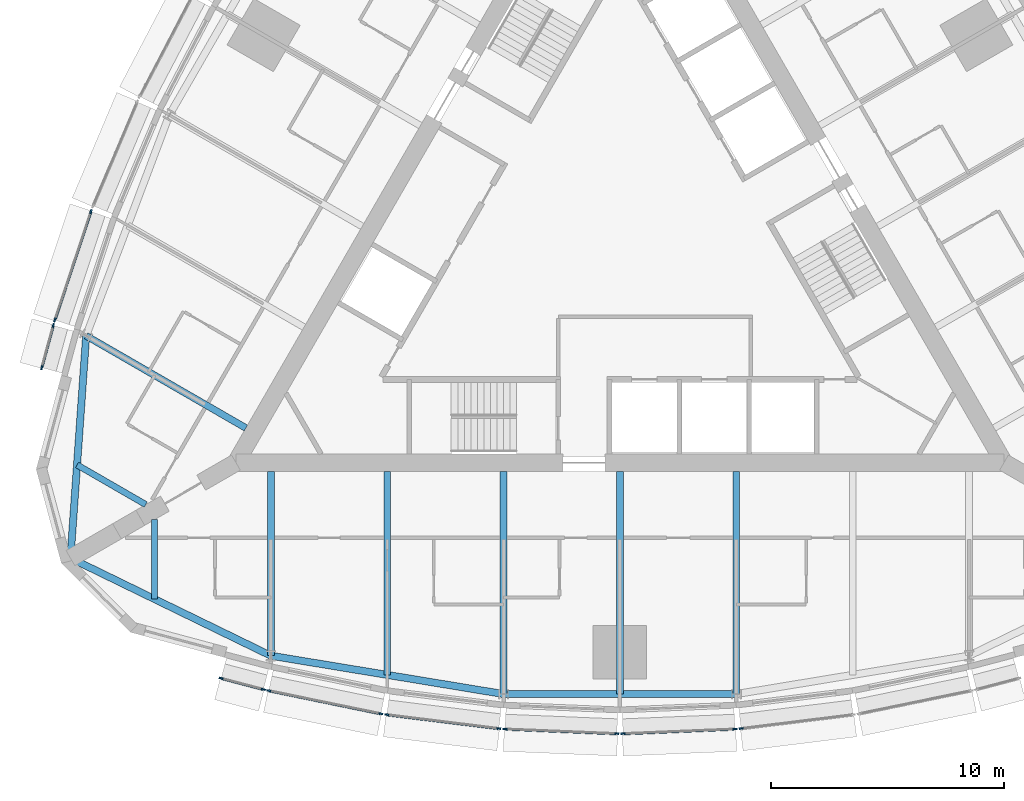
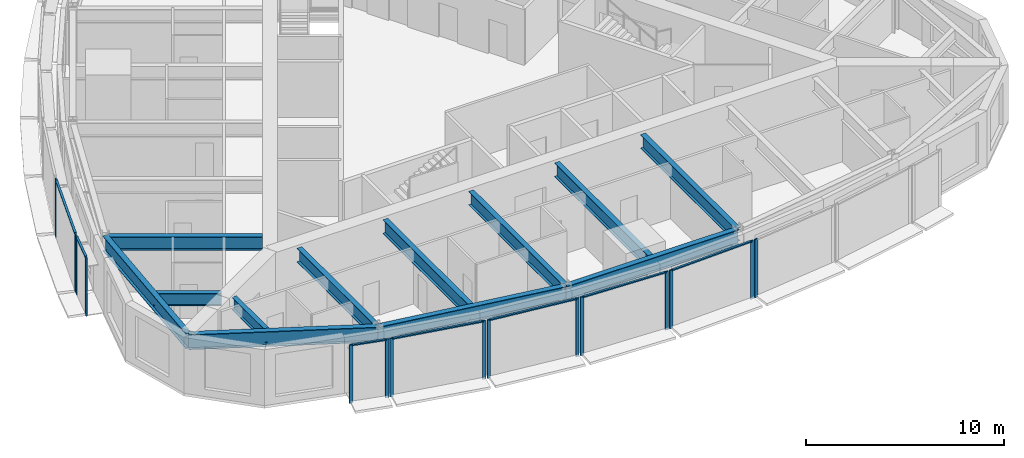
# One storey, part 2 of 15: 22 members, 12 beams, 8 elements without a shape of their own.
"""IFC4 building model written with IfcOpenShell, lengths in metres."""

from ifc_helpers import new_model, si_unit, direction, frame, origin, origin_2d, place, context, subcontext, project, spatial, rectangle, i_section, extrude, material, material_profile, profile_set, type_object, element, aggregate, save


model = new_model("IFC4")

# Units and contexts
model_context = context("Model", 3, precision=1e-05, world=origin(), true_north=direction((0.0, 1.0)))
body_context = subcontext(model_context, "Body", "Model", "MODEL_VIEW")
ifc_project = project(units=[si_unit("LENGTHUNIT", "METRE"), si_unit("AREAUNIT", "SQUARE_METRE"), si_unit("VOLUMEUNIT", "CUBIC_METRE"), si_unit("PLANEANGLEUNIT", "RADIAN"), si_unit("MASSUNIT", "GRAM", prefix="KILO")], contexts=[model_context])

# Site, building, storey
site_placement = place(None, origin())
site = spatial("IfcSite", under=ifc_project, at=site_placement, CompositionType="ELEMENT")
building_placement = place(site_placement, origin())
building = spatial("IfcBuilding", under=site, at=building_placement, Name="Trikona Tower", CompositionType="ELEMENT")
storey_placement = place(building_placement, frame((0.0, 0.0, 208.10009765625)))
storey = spatial("IfcBuildingStorey", under=building, at=storey_placement, Name="L55", CompositionType="ELEMENT", Elevation=208.10009765625)

# Curtain wall, members
ifc_material_1 = material(Name="Aluminium curtain wall system", Category="aluminium")
curtain_wall_type = type_object("IfcCurtainWallType", Name="Curtain wall DS3", PredefinedType="NOTDEFINED", material=ifc_material_1)
curtain_wall_1_placement = place(storey_placement, origin())
curtain_wall_1 = element("IfcCurtainWall", 1, at=curtain_wall_1_placement, inside=storey, type_object=curtain_wall_type, Name="Curtain wall DS3 L55", PredefinedType="NOTDEFINED")
ifc_material_2 = material(Name="Aluminium mullion, pale anodised", Category="aluminium")
ifc_material_profile_1 = material_profile(ifc_material_2, rectangle(XDim=0.070068359375, YDim=0.179931640625, at=origin_2d()), Name="MUL-DS3")
ifc_profile_set_1 = profile_set([ifc_material_profile_1], Name="Aluminium mullion, pale anodised")
member_type_1 = type_object("IfcMemberType", Name="Mullion DS3 70x180", PredefinedType="MULLION", material=ifc_profile_set_1)
member_1_placement = place(storey_placement, frame((-17.137451171875, -18.79248046875, 0.0), z_axis=(0.0, 0.0, 1.0), x_axis=(0.25478635579, 0.966997369647, 0.0)))
member_1 = element("IfcMember", 2, at=member_1_placement, type_object=member_type_1, Name="CW-DS3 mullion 1", PredefinedType="MULLION", context=body_context, shape_type="SweptSolid", body=[
    extrude(rectangle(XDim=0.070068359375, YDim=0.179931640625, at=origin_2d()), origin(), (0.0, 0.0, 1.0), 3.599853515625),
])
member_2_placement = place(storey_placement, frame((-15.321044921875, -19.27099609375, 0.0), z_axis=(0.0, 0.0, 1.0), x_axis=(0.25478635579, 0.966997369647, 0.0)))
member_2 = element("IfcMember", 3, at=member_2_placement, type_object=member_type_1, Name="CW-DS3 mullion 2", PredefinedType="MULLION", context=body_context, shape_type="SweptSolid", body=[
    extrude(rectangle(XDim=0.070068359375, YDim=0.179931640625, at=origin_2d()), origin(), (0.0, 0.0, 1.0), 3.599853515625),
])

curtain_wall_2_placement = place(storey_placement, origin())
curtain_wall_2 = element("IfcCurtainWall", 4, at=curtain_wall_2_placement, inside=storey, type_object=curtain_wall_type, Name="Curtain wall DS3 L55", PredefinedType="NOTDEFINED")
member_3_placement = place(storey_placement, frame((-15.08837890625, -19.325439453125, 0.0), z_axis=(0.0, 0.0, 1.0), x_axis=(0.201652920672, 0.979457043256, 0.0)))
member_3 = element("IfcMember", 5, at=member_3_placement, type_object=member_type_1, Name="CW-DS3 mullion 1", PredefinedType="MULLION", context=body_context, shape_type="SweptSolid", body=[
    extrude(rectangle(XDim=0.070068359375, YDim=0.179931640625, at=origin_2d()), origin(), (0.0, 0.0, 1.0), 3.599853515625),
])
member_4_placement = place(storey_placement, frame((-10.274658203125, -20.316650390625, 0.0), z_axis=(0.0, 0.0, 1.0), x_axis=(0.201652920672, 0.979457043256, 0.0)))
member_4 = element("IfcMember", 6, at=member_4_placement, type_object=member_type_1, Name="CW-DS3 mullion 2", PredefinedType="MULLION", context=body_context, shape_type="SweptSolid", body=[
    extrude(rectangle(XDim=0.070068359375, YDim=0.179931640625, at=origin_2d()), origin(), (0.0, 0.0, 1.0), 3.599853515625),
])

curtain_wall_3_placement = place(storey_placement, origin())
curtain_wall_3 = element("IfcCurtainWall", 7, at=curtain_wall_3_placement, inside=storey, type_object=curtain_wall_type, Name="Curtain wall DS3 L55", PredefinedType="NOTDEFINED")
member_5_placement = place(storey_placement, frame((-10.01611328125, -20.359130859375, 0.0), z_axis=(0.0, 0.0, 1.0), x_axis=(0.122610640458, 0.992454850785, 0.0)))
member_5 = element("IfcMember", 8, at=member_5_placement, type_object=member_type_1, Name="CW-DS3 mullion 1", PredefinedType="MULLION", context=body_context, shape_type="SweptSolid", body=[
    extrude(rectangle(XDim=0.070068359375, YDim=0.179931640625, at=origin_2d()), origin(), (0.0, 0.0, 1.0), 3.599853515625),
])
member_6_placement = place(storey_placement, frame((-5.20458984375, -20.95361328125, 0.0), z_axis=(0.0, 0.0, 1.0), x_axis=(0.122610640458, 0.992454850785, 0.0)))
member_6 = element("IfcMember", 9, at=member_6_placement, type_object=member_type_1, Name="CW-DS3 mullion 2", PredefinedType="MULLION", context=body_context, shape_type="SweptSolid", body=[
    extrude(rectangle(XDim=0.070068359375, YDim=0.179931640625, at=origin_2d()), origin(), (0.0, 0.0, 1.0), 3.599853515625),
])

curtain_wall_4_placement = place(storey_placement, origin())
curtain_wall_4 = element("IfcCurtainWall", 10, at=curtain_wall_4_placement, inside=storey, type_object=curtain_wall_type, Name="Curtain wall DS3 L55", PredefinedType="NOTDEFINED")
member_7_placement = place(storey_placement, frame((-4.942138671875, -20.97509765625, 0.0), z_axis=(0.0, 0.0, 1.0), x_axis=(0.04115278907, 0.999152865157, 0.0)))
member_7 = element("IfcMember", 11, at=member_7_placement, type_object=member_type_1, Name="CW-DS3 mullion 1", PredefinedType="MULLION", context=body_context, shape_type="SweptSolid", body=[
    extrude(rectangle(XDim=0.070068359375, YDim=0.179931640625, at=origin_2d()), origin(), (0.0, 0.0, 1.0), 3.599853515625),
])
member_8_placement = place(storey_placement, frame((-0.132080078125, -21.17333984375, 0.0), z_axis=(0.0, 0.0, 1.0), x_axis=(0.04115278907, 0.999152865157, 0.0)))
member_8 = element("IfcMember", 12, at=member_8_placement, type_object=member_type_1, Name="CW-DS3 mullion 2", PredefinedType="MULLION", context=body_context, shape_type="SweptSolid", body=[
    extrude(rectangle(XDim=0.070068359375, YDim=0.179931640625, at=origin_2d()), origin(), (0.0, 0.0, 1.0), 3.599853515625),
])

curtain_wall_5_placement = place(storey_placement, origin())
curtain_wall_5 = element("IfcCurtainWall", 13, at=curtain_wall_5_placement, inside=storey, type_object=curtain_wall_type, Name="Curtain wall DS3 L55", PredefinedType="NOTDEFINED")
member_9_placement = place(storey_placement, frame((0.132080078125, -21.17333984375, 0.0), z_axis=(0.0, 0.0, 1.0), x_axis=(-0.04115278907, 0.999152865157, 0.0)))
member_9 = element("IfcMember", 14, at=member_9_placement, type_object=member_type_1, Name="CW-DS3 mullion 1", PredefinedType="MULLION", context=body_context, shape_type="SweptSolid", body=[
    extrude(rectangle(XDim=0.070068359375, YDim=0.179931640625, at=origin_2d()), origin(), (0.0, 0.0, 1.0), 3.599853515625),
])
member_10_placement = place(storey_placement, frame((4.942138671875, -20.97509765625, 0.0), z_axis=(0.0, 0.0, 1.0), x_axis=(-0.04115278907, 0.999152865157, 0.0)))
member_10 = element("IfcMember", 15, at=member_10_placement, type_object=member_type_1, Name="CW-DS3 mullion 2", PredefinedType="MULLION", context=body_context, shape_type="SweptSolid", body=[
    extrude(rectangle(XDim=0.070068359375, YDim=0.179931640625, at=origin_2d()), origin(), (0.0, 0.0, 1.0), 3.599853515625),
])

# Curtain wall, member
curtain_wall_6_placement = place(storey_placement, origin())
curtain_wall_6 = element("IfcCurtainWall", 16, at=curtain_wall_6_placement, inside=storey, type_object=curtain_wall_type, Name="Curtain wall DS3 L55", PredefinedType="NOTDEFINED")
member_11_placement = place(storey_placement, frame((5.20458984375, -20.95361328125, 0.0), z_axis=(0.0, 0.0, 1.0), x_axis=(-0.122610640458, 0.992454850785, 0.0)))
member_11 = element("IfcMember", 17, at=member_11_placement, type_object=member_type_1, Name="CW-DS3 mullion 1", PredefinedType="MULLION", context=body_context, shape_type="SweptSolid", body=[
    extrude(rectangle(XDim=0.070068359375, YDim=0.179931640625, at=origin_2d()), origin(), (0.0, 0.0, 1.0), 3.599853515625),
])
aggregate(curtain_wall_6, [member_11])

# Curtain wall, members
curtain_wall_7_placement = place(storey_placement, origin())
curtain_wall_7 = element("IfcCurtainWall", 18, at=curtain_wall_7_placement, inside=storey, type_object=curtain_wall_type, Name="Curtain wall DS3 L55", PredefinedType="NOTDEFINED")
member_12_placement = place(storey_placement, frame((-22.73193359375, 1.26025390625, 0.0), z_axis=(0.0, 0.0, 1.0), x_axis=(0.949065766708, -0.315078038687, 0.0)))
member_12 = element("IfcMember", 19, at=member_12_placement, type_object=member_type_1, Name="CW-DS3 mullion 1", PredefinedType="MULLION", context=body_context, shape_type="SweptSolid", body=[
    extrude(rectangle(XDim=0.070068359375, YDim=0.179931640625, at=origin_2d()), origin(), (0.0, 0.0, 1.0), 3.599853515625),
])
member_13_placement = place(storey_placement, frame((-24.280517578125, -3.404296875, 0.0), z_axis=(0.0, 0.0, 1.0), x_axis=(0.949065766708, -0.315078038687, 0.0)))
member_13 = element("IfcMember", 20, at=member_13_placement, type_object=member_type_1, Name="CW-DS3 mullion 2", PredefinedType="MULLION", context=body_context, shape_type="SweptSolid", body=[
    extrude(rectangle(XDim=0.070068359375, YDim=0.179931640625, at=origin_2d()), origin(), (0.0, 0.0, 1.0), 3.599853515625),
])

curtain_wall_8_placement = place(storey_placement, origin())
curtain_wall_8 = element("IfcCurtainWall", 21, at=curtain_wall_8_placement, inside=storey, type_object=curtain_wall_type, Name="Curtain wall DS3 L55", PredefinedType="NOTDEFINED")
member_14_placement = place(storey_placement, frame((-24.349609375, -3.633056640625, 0.0), z_axis=(0.0, 0.0, 1.0), x_axis=(0.964838403494, -0.262843784676, 0.0)))
member_14 = element("IfcMember", 22, at=member_14_placement, type_object=member_type_1, Name="CW-DS3 mullion 1", PredefinedType="MULLION", context=body_context, shape_type="SweptSolid", body=[
    extrude(rectangle(XDim=0.070068359375, YDim=0.179931640625, at=origin_2d()), origin(), (0.0, 0.0, 1.0), 3.599853515625),
])
member_15_placement = place(storey_placement, frame((-24.843505859375, -5.4453125, 0.0), z_axis=(0.0, 0.0, 1.0), x_axis=(0.964838403494, -0.262843784676, 0.0)))
member_15 = element("IfcMember", 23, at=member_15_placement, type_object=member_type_1, Name="CW-DS3 mullion 2", PredefinedType="MULLION", context=body_context, shape_type="SweptSolid", body=[
    extrude(rectangle(XDim=0.070068359375, YDim=0.179931640625, at=origin_2d()), origin(), (0.0, 0.0, 1.0), 3.599853515625),
])

# Beams
ifc_material_3 = material(Name="Steel ASTM A992 Grade 50", Category="steel")
ifc_material_profile_2 = material_profile(ifc_material_3, i_section(OverallWidth=0.2666015625, OverallDepth=0.76953125, WebThickness=0.015625, FlangeThickness=0.025390625, at=origin_2d()), Name="W30X132")
ifc_profile_set_2 = profile_set([ifc_material_profile_2], Name="Steel ASTM A992 Grade 50")
beam_type_1 = type_object("IfcBeamType", Name="Steel beam W30x132 (wedge)", PredefinedType="BEAM", material=ifc_profile_set_2)
beam_1_placement = place(storey_placement, frame((-20.0, -11.97998046875, 3.050048828125), z_axis=(0.0, -1.0, 0.0), x_axis=(1.0, 0.0, 0.0)))
element("IfcBeam", 24, at=beam_1_placement, inside=storey, type_object=beam_type_1, Name="Floor beam L56 F1 u-20", PredefinedType="BEAM", context=body_context, shape_type="SweptSolid", body=[
    extrude(i_section(OverallWidth=0.2666015625, OverallDepth=0.76953125, WebThickness=0.015625, FlangeThickness=0.025390625, at=origin_2d()), origin(), (0.0, 0.0, 1.0), 3.40966796875),
])
beam_2_placement = place(storey_placement, frame((-20.375, -11.33056640625, 3.050048828125), z_axis=(-0.865995995653, 0.500050932918, 0.0), x_axis=(-0.500050932918, -0.865995995653, 0.0)))
element("IfcBeam", 25, at=beam_2_placement, inside=storey, type_object=beam_type_1, Name="Floor beam L56 F3 u20", PredefinedType="BEAM", context=body_context, shape_type="SweptSolid", body=[
    extrude(i_section(OverallWidth=0.2666015625, OverallDepth=0.76953125, WebThickness=0.015625, FlangeThickness=0.025390625, at=origin_2d()), origin(), (0.0, 0.0, 1.0), 3.409912109375),
])
ifc_material_4 = material(Name="Steel ASTM A992 Grade 50", Category="steel")
ifc_material_profile_3 = material_profile(ifc_material_4, i_section(OverallWidth=0.2919921875, OverallDepth=0.845703125, WebThickness=0.015380859375, FlangeThickness=0.0244140625, at=origin_2d()), Name="W33X141")
ifc_profile_set_3 = profile_set([ifc_material_profile_3], Name="Steel ASTM A992 Grade 50")
beam_type_2 = type_object("IfcBeamType", Name="Steel beam W33x141 (radial typ)", PredefinedType="BEAM", material=ifc_profile_set_3)
beam_3_placement = place(storey_placement, frame((-15.0, -9.9013671875, 3.011962890625), z_axis=(0.0, -1.0, 0.0), x_axis=(1.0, 0.0, 0.0)))
element("IfcBeam", 26, at=beam_3_placement, inside=storey, type_object=beam_type_2, Name="Floor beam L56 F1 u-15", PredefinedType="BEAM", context=body_context, shape_type="SweptSolid", body=[
    extrude(i_section(OverallWidth=0.2919921875, OverallDepth=0.845703125, WebThickness=0.015380859375, FlangeThickness=0.0244140625, at=origin_2d()), origin(), (0.0, 0.0, 1.0), 7.923583984375),
])
beam_4_placement = place(storey_placement, frame((-10.0, -9.9013671875, 3.011962890625), z_axis=(0.0, -1.0, 0.0), x_axis=(1.0, 0.0, 0.0)))
element("IfcBeam", 27, at=beam_4_placement, inside=storey, type_object=beam_type_2, Name="Floor beam L56 F1 u-10", PredefinedType="BEAM", context=body_context, shape_type="SweptSolid", body=[
    extrude(i_section(OverallWidth=0.2919921875, OverallDepth=0.845703125, WebThickness=0.015380859375, FlangeThickness=0.0244140625, at=origin_2d()), origin(), (0.0, 0.0, 1.0), 8.7470703125),
])
for number, where, z_axis, x_axis, name in (
    (28, (-5.0, -9.9013671875, 3.011962890625), (0.0, -1.0, 0.0), (1.0, 0.0, 0.0), "Floor beam L56 F1 u-5"),
    (29, (0.0, -9.9013671875, 3.011962890625), (0.0, -1.0, 0.0), (1.0, 0.0, 0.0), "Floor beam L56 F1 u0"),
    (30, (5.0, -9.9013671875, 3.011962890625), (0.0, -1.0, 0.0), (1.0, 0.0, 0.0), "Floor beam L56 F1 u5"),
):
    element("IfcBeam", number, at=place(storey_placement, frame(where, z_axis=z_axis, x_axis=x_axis)), inside=storey, type_object=beam_type_2, Name=name, PredefinedType="BEAM", context=body_context, shape_type="SweptSolid", body=[
        extrude(i_section(OverallWidth=0.2919921875, OverallDepth=0.845703125, WebThickness=0.015380859375, FlangeThickness=0.0244140625, at=origin_2d()), origin(), (0.0, 0.0, 1.0), 9.570556640625),
    ])
beam_5_placement = place(storey_placement, frame((-16.07470703125, -8.039794921875, 3.011962890625), z_axis=(-0.866019853763, 0.500009612796, 0.0), x_axis=(-0.500009612796, -0.866019853763, 0.0)))
element("IfcBeam", 31, at=beam_5_placement, inside=storey, type_object=beam_type_2, Name="Floor beam L56 F3 u15", PredefinedType="BEAM", context=body_context, shape_type="SweptSolid", body=[
    extrude(i_section(OverallWidth=0.2919921875, OverallDepth=0.845703125, WebThickness=0.015380859375, FlangeThickness=0.0244140625, at=origin_2d()), origin(), (0.0, 0.0, 1.0), 7.923583984375),
])
ifc_material_5 = material(Name="Steel ASTM A992 Grade 50", Category="steel")
ifc_material_profile_4 = material_profile(ifc_material_5, i_section(OverallWidth=0.307373046875, OverallDepth=0.922119140625, WebThickness=0.018310546875, FlangeThickness=0.030029296875, at=origin_2d()), Name="W36X182")
ifc_profile_set_4 = profile_set([ifc_material_profile_4], Name="Steel ASTM A992 Grade 50")
beam_type_3 = type_object("IfcBeamType", Name="Steel beam W36x182 (spandrel mid)", PredefinedType="SPANDREL", material=ifc_profile_set_4)
beam_6_placement = place(storey_placement, frame((-23.6103515625, -13.63134765625, 2.973876953125), z_axis=(0.899038503257, -0.437869580652, 0.0), x_axis=(0.437869580652, 0.899038503257, 0.0)))
element("IfcBeam", 32, at=beam_6_placement, inside=storey, type_object=beam_type_3, Name="Spandrel beam L56 F1-1", PredefinedType="SPANDREL", context=body_context, shape_type="SweptSolid", body=[
    extrude(i_section(OverallWidth=0.307373046875, OverallDepth=0.922119140625, WebThickness=0.018310546875, FlangeThickness=0.030029296875, at=origin_2d()), origin(), (0.0, 0.0, 1.0), 9.577392578125),
])
beam_7_placement = place(storey_placement, frame((-15.0, -17.824951171875, 2.973876953125), z_axis=(0.986707228918, -0.162507982575, 0.0), x_axis=(0.162507982575, 0.986707228918, 0.0)))
element("IfcBeam", 33, at=beam_7_placement, inside=storey, type_object=beam_type_3, Name="Spandrel beam L56 F1-2", PredefinedType="SPANDREL", context=body_context, shape_type="SweptSolid", body=[
    extrude(i_section(OverallWidth=0.307373046875, OverallDepth=0.922119140625, WebThickness=0.018310546875, FlangeThickness=0.030029296875, at=origin_2d()), origin(), (0.0, 0.0, 1.0), 10.134765625),
])
beam_8_placement = place(storey_placement, frame((-5.0, -19.471923828125, 2.973876953125), z_axis=(1.0, 0.0, 0.0), x_axis=(0.0, 1.0, 0.0)))
element("IfcBeam", 34, at=beam_8_placement, inside=storey, type_object=beam_type_3, Name="Spandrel beam L56 F1-3", PredefinedType="SPANDREL", context=body_context, shape_type="SweptSolid", body=[
    extrude(i_section(OverallWidth=0.307373046875, OverallDepth=0.922119140625, WebThickness=0.018310546875, FlangeThickness=0.030029296875, at=origin_2d()), origin(), (0.0, 0.0, 1.0), 10.0),
])
beam_9_placement = place(storey_placement, frame((-22.936767578125, -4.077880859375, 2.973876953125), z_axis=(-0.07033215835, -0.997523627541, 0.0), x_axis=(0.997523627541, -0.07033215835, 0.0)))
element("IfcBeam", 35, at=beam_9_placement, inside=storey, type_object=beam_type_3, Name="Spandrel beam L56 F3-5", PredefinedType="SPANDREL", context=body_context, shape_type="SweptSolid", body=[
    extrude(i_section(OverallWidth=0.307373046875, OverallDepth=0.922119140625, WebThickness=0.018310546875, FlangeThickness=0.030029296875, at=origin_2d()), origin(), (0.0, 0.0, 1.0), 9.5771484375),
])

# Member
ifc_material_6 = material(Name="Aluminium transom, pale anodised", Category="aluminium")
ifc_material_profile_5 = material_profile(ifc_material_6, rectangle(XDim=0.1201171875, YDim=0.070068359375, at=origin_2d()), Name="TRN-DS3")
ifc_profile_set_5 = profile_set([ifc_material_profile_5], Name="Aluminium transom, pale anodised")
member_type_2 = type_object("IfcMemberType", Name="Transom DS3 70x120", PredefinedType="USERDEFINED", material=ifc_profile_set_5)
member_16_placement = place(storey_placement, frame((-17.103515625, -18.80126953125, 3.56494140625), z_axis=(0.966999290683, -0.254779064719, 0.0), x_axis=(0.254779064719, 0.966999290683, 0.0)))
member_16 = element("IfcMember", 36, at=member_16_placement, type_object=member_type_2, Name="CW-DS3 transom 1.1", ObjectType="TRANSOM", PredefinedType="USERDEFINED", context=body_context, shape_type="SweptSolid", body=[
    extrude(rectangle(XDim=0.1201171875, YDim=0.070068359375, at=origin_2d()), origin(), (0.0, 0.0, 1.0), 1.80810546875),
])

aggregate(curtain_wall_1, [member_1, member_2, member_16])

member_17_placement = place(storey_placement, frame((-15.05419921875, -19.33251953125, 3.56494140625), z_axis=(0.979454408611, -0.201665717099, 0.0), x_axis=(0.201665717099, 0.979454408611, 0.0)))
member_17 = element("IfcMember", 37, at=member_17_placement, type_object=member_type_2, Name="CW-DS3 transom 1.1", ObjectType="TRANSOM", PredefinedType="USERDEFINED", context=body_context, shape_type="SweptSolid", body=[
    extrude(rectangle(XDim=0.1201171875, YDim=0.070068359375, at=origin_2d()), origin(), (0.0, 0.0, 1.0), 4.844970703125),
])

aggregate(curtain_wall_2, [member_3, member_4, member_17])

member_18_placement = place(storey_placement, frame((-9.9814453125, -20.363525390625, 3.56494140625), z_axis=(0.992459172161, -0.122575656611, 0.0), x_axis=(0.122575656611, 0.992459172161, 0.0)))
member_18 = element("IfcMember", 38, at=member_18_placement, type_object=member_type_2, Name="CW-DS3 transom 1.1", ObjectType="TRANSOM", PredefinedType="USERDEFINED", context=body_context, shape_type="SweptSolid", body=[
    extrude(rectangle(XDim=0.1201171875, YDim=0.070068359375, at=origin_2d()), origin(), (0.0, 0.0, 1.0), 4.7783203125),
])

aggregate(curtain_wall_3, [member_5, member_6, member_18])

member_19_placement = place(storey_placement, frame((-4.9072265625, -20.9765625, 3.56494140625), z_axis=(0.99915223027, -0.04116820067, 0.0), x_axis=(0.04116820067, 0.99915223027, 0.0)))
member_19 = element("IfcMember", 39, at=member_19_placement, type_object=member_type_2, Name="CW-DS3 transom 1.1", ObjectType="TRANSOM", PredefinedType="USERDEFINED", context=body_context, shape_type="SweptSolid", body=[
    extrude(rectangle(XDim=0.1201171875, YDim=0.070068359375, at=origin_2d()), origin(), (0.0, 0.0, 1.0), 4.744140625),
])

aggregate(curtain_wall_4, [member_7, member_8, member_19])

member_20_placement = place(storey_placement, frame((0.1669921875, -21.171875, 3.56494140625), z_axis=(0.99915223027, 0.04116820067, 0.0), x_axis=(-0.04116820067, 0.99915223027, 0.0)))
member_20 = element("IfcMember", 40, at=member_20_placement, type_object=member_type_2, Name="CW-DS3 transom 1.1", ObjectType="TRANSOM", PredefinedType="USERDEFINED", context=body_context, shape_type="SweptSolid", body=[
    extrude(rectangle(XDim=0.1201171875, YDim=0.070068359375, at=origin_2d()), origin(), (0.0, 0.0, 1.0), 4.744140625),
])

aggregate(curtain_wall_5, [member_9, member_10, member_20])

member_21_placement = place(storey_placement, frame((-22.7431640625, 1.22705078125, 3.56494140625), z_axis=(-0.315063426034, -0.949070617802, 0.0), x_axis=(0.949070617802, -0.315063426034, 0.0)))
member_21 = element("IfcMember", 41, at=member_21_placement, type_object=member_type_2, Name="CW-DS3 transom 1.1", ObjectType="TRANSOM", PredefinedType="USERDEFINED", context=body_context, shape_type="SweptSolid", body=[
    extrude(rectangle(XDim=0.1201171875, YDim=0.070068359375, at=origin_2d()), origin(), (0.0, 0.0, 1.0), 4.8447265625),
])

aggregate(curtain_wall_7, [member_12, member_13, member_21])

member_22_placement = place(storey_placement, frame((-24.35888671875, -3.666748046875, 3.56494140625), z_axis=(-0.262843243155, -0.964838551017, 0.0), x_axis=(0.964838551017, -0.262843243155, 0.0)))
member_22 = element("IfcMember", 42, at=member_22_placement, type_object=member_type_2, Name="CW-DS3 transom 1.1", ObjectType="TRANSOM", PredefinedType="USERDEFINED", context=body_context, shape_type="SweptSolid", body=[
    extrude(rectangle(XDim=0.1201171875, YDim=0.070068359375, at=origin_2d()), origin(), (0.0, 0.0, 1.0), 1.808349609375),
])

aggregate(curtain_wall_8, [member_14, member_15, member_22])

save(model, "model.ifc")
